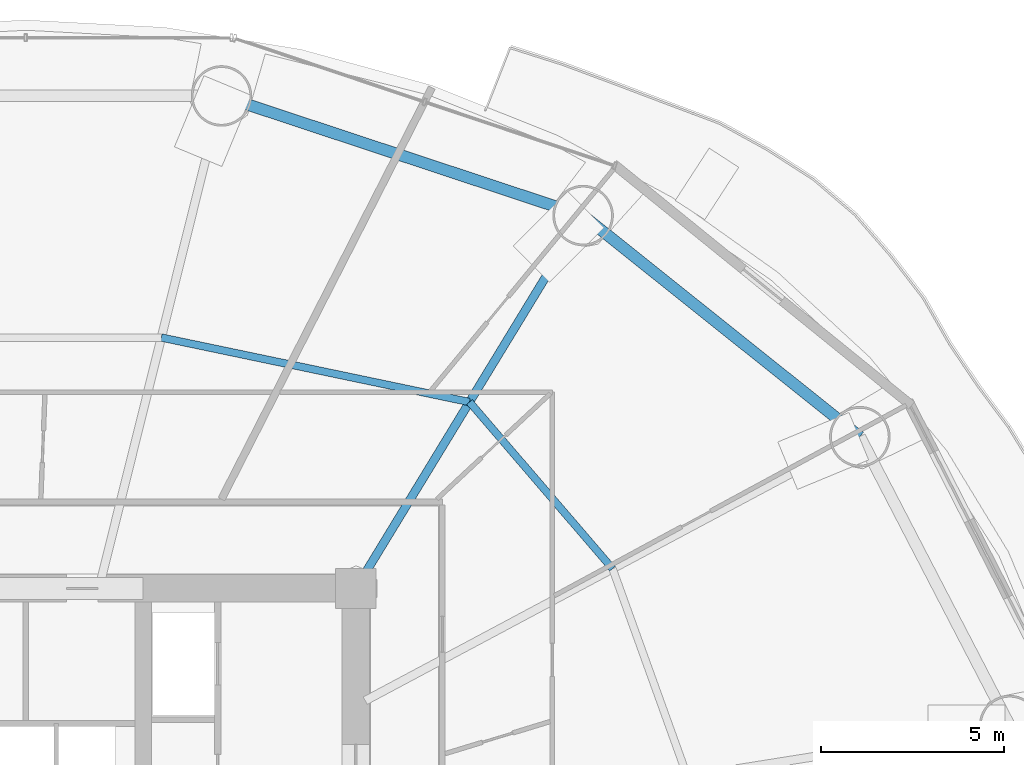
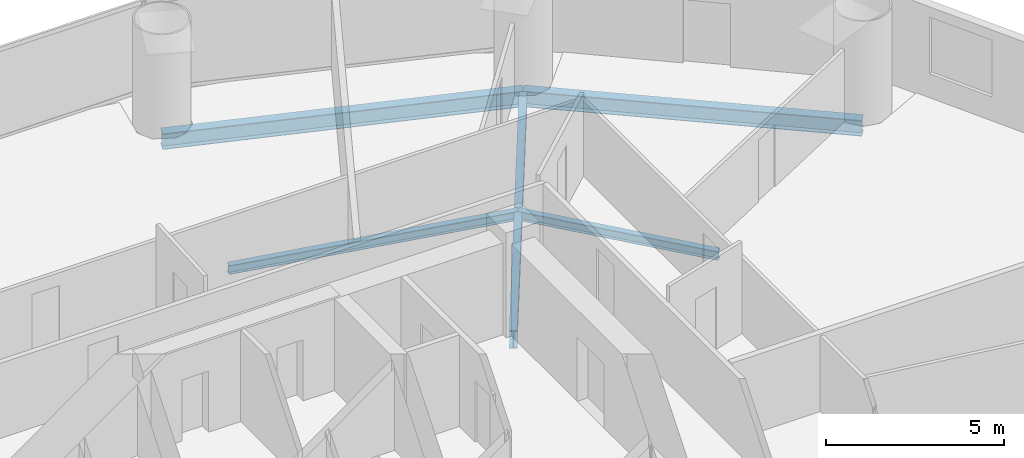
# One storey, part 19 of 29: 5 beams.
"""IFC4 building model written with IfcOpenShell, lengths in metres."""

from ifc_helpers import new_model, si_unit, direction, frame, origin, origin_2d, place, context, subcontext, project, spatial, i_section, extrude, material, material_profile, profile_set, type_object, element, save


model = new_model("IFC4")

# Units and contexts
model_context = context("Model", 3, precision=1e-05, world=origin(), true_north=direction((-0.2419218956, 0.970295726276)))
body_context = subcontext(model_context, "Body", "Model", "MODEL_VIEW")
ifc_project = project(units=[si_unit("LENGTHUNIT", "METRE"), si_unit("AREAUNIT", "SQUARE_METRE"), si_unit("VOLUMEUNIT", "CUBIC_METRE"), si_unit("PLANEANGLEUNIT", "RADIAN"), si_unit("MASSUNIT", "GRAM", prefix="KILO")], contexts=[model_context])

# Site, building, storey
site_placement = place(None, origin())
site = spatial("IfcSite", under=ifc_project, at=site_placement, CompositionType="ELEMENT")
building_placement = place(site_placement, origin())
building = spatial("IfcBuilding", under=site, at=building_placement, Name="Cobrevalo Terracotta Tower", CompositionType="ELEMENT")
storey_placement = place(building_placement, frame((0.0, 0.0, 70.800048828125)))
storey = spatial("IfcBuildingStorey", under=building, at=storey_placement, Name="L18", CompositionType="ELEMENT", Elevation=70.800048828125)

# Beams
ifc_material = material(Name="Steel S355", Category="steel")
ifc_material_profile_1 = material_profile(ifc_material, i_section(OverallWidth=0.22998046875, OverallDepth=0.616943359375, WebThickness=0.01318359375, FlangeThickness=0.022216796875, at=origin_2d()), Name="W 610x140")
ifc_profile_set_1 = profile_set([ifc_material_profile_1], Name="Steel S355")
beam_type_1 = type_object("IfcBeamType", Name="Structural Beam W 610x140 (Steel S355)", PredefinedType="BEAM", material=ifc_profile_set_1)
beam_1_placement = place(storey_placement, frame((53.19482421875, 44.967529296875, -0.588623046875), z_axis=(-0.520309892051, -0.853977526773, 0.0), x_axis=(0.853977526773, -0.520309892051, 0.0)))
element("IfcBeam", 1, at=beam_1_placement, inside=storey, type_object=beam_type_1, Name="L18 radial floor girder 03", PredefinedType="BEAM", context=body_context, shape_type="SweptSolid", body=[
    extrude(i_section(OverallWidth=0.22998046875, OverallDepth=0.616943359375, WebThickness=0.01318359375, FlangeThickness=0.022216796875, at=origin_2d()), origin(), (0.0, 0.0, 1.0), 11.906005859375),
])
ifc_material_profile_2 = material_profile(ifc_material, i_section(OverallWidth=0.2041015625, OverallDepth=0.305908203125, WebThickness=0.008544921875, FlangeThickness=0.0146484375, at=origin_2d()), Name="W 310x67")
ifc_profile_set_2 = profile_set([ifc_material_profile_2], Name="Steel S355")
beam_type_2 = type_object("IfcBeamType", Name="Structural Joist W 310x67 (Steel S355)", PredefinedType="JOIST", material=ifc_profile_set_2)
beam_2_placement = place(storey_placement, frame((53.997802734375, 35.33984375, -0.43310546875), z_axis=(-0.651328404454, 0.758795960421, 0.0), x_axis=(-0.758795960421, -0.651328404454, 0.0)))
element("IfcBeam", 2, at=beam_2_placement, inside=storey, type_object=beam_type_2, Name="L18 circumferential secondary floor joist 02", PredefinedType="JOIST", context=body_context, shape_type="SweptSolid", body=[
    extrude(i_section(OverallWidth=0.2041015625, OverallDepth=0.305908203125, WebThickness=0.008544921875, FlangeThickness=0.0146484375, at=origin_2d()), origin(), (0.0, 0.0, 1.0), 5.98828125),
])
beam_3_placement = place(storey_placement, frame((50.097412109375, 39.8837890625, -0.43310546875), z_axis=(-0.978784523904, 0.204892302848, 0.0), x_axis=(-0.204892302848, -0.978784523904, 0.0)))
element("IfcBeam", 3, at=beam_3_placement, inside=storey, type_object=beam_type_2, Name="L18 circumferential secondary floor joist 03", PredefinedType="JOIST", context=body_context, shape_type="SweptSolid", body=[
    extrude(i_section(OverallWidth=0.2041015625, OverallDepth=0.305908203125, WebThickness=0.008544921875, FlangeThickness=0.0146484375, at=origin_2d()), origin(), (0.0, 0.0, 1.0), 8.583984375),
])
ifc_material_profile_3 = material_profile(ifc_material, i_section(OverallWidth=0.31201171875, OverallDepth=0.54296875, WebThickness=0.0126953125, FlangeThickness=0.020263671875, at=origin_2d()), Name="W 530x150")
ifc_profile_set_3 = profile_set([ifc_material_profile_3], Name="Steel S355")
beam_type_3 = type_object("IfcBeamType", Name="Structural Spandrel W 530x150 (Steel S355)", PredefinedType="SPANDREL", material=ifc_profile_set_3)
beam_4_placement = place(storey_placement, frame((60.74072265625, 38.939208984375, -0.551513671875), z_axis=(-0.781292806807, 0.62416468182, 0.0), x_axis=(-0.62416468182, -0.781292806807, 0.0)))
element("IfcBeam", 4, at=beam_4_placement, inside=storey, type_object=beam_type_3, Name="L18 perimeter ring spandrel 02", PredefinedType="SPANDREL", context=body_context, shape_type="SweptSolid", body=[
    extrude(i_section(OverallWidth=0.31201171875, OverallDepth=0.54296875, WebThickness=0.0126953125, FlangeThickness=0.020263671875, at=origin_2d()), origin(), (0.0, 0.0, 1.0), 9.658203125),
])
beam_5_placement = place(storey_placement, frame((53.19482421875, 44.967529296875, -0.551513671875), z_axis=(-0.949365190876, 0.314174687638, 0.0), x_axis=(-0.314174687638, -0.949365190876, 0.0)))
element("IfcBeam", 5, at=beam_5_placement, inside=storey, type_object=beam_type_3, Name="L18 perimeter ring spandrel 03", PredefinedType="SPANDREL", context=body_context, shape_type="SweptSolid", body=[
    extrude(i_section(OverallWidth=0.31201171875, OverallDepth=0.54296875, WebThickness=0.0126953125, FlangeThickness=0.020263671875, at=origin_2d()), origin(), (0.0, 0.0, 1.0), 10.385009765625),
])

save(model, "model.ifc")
